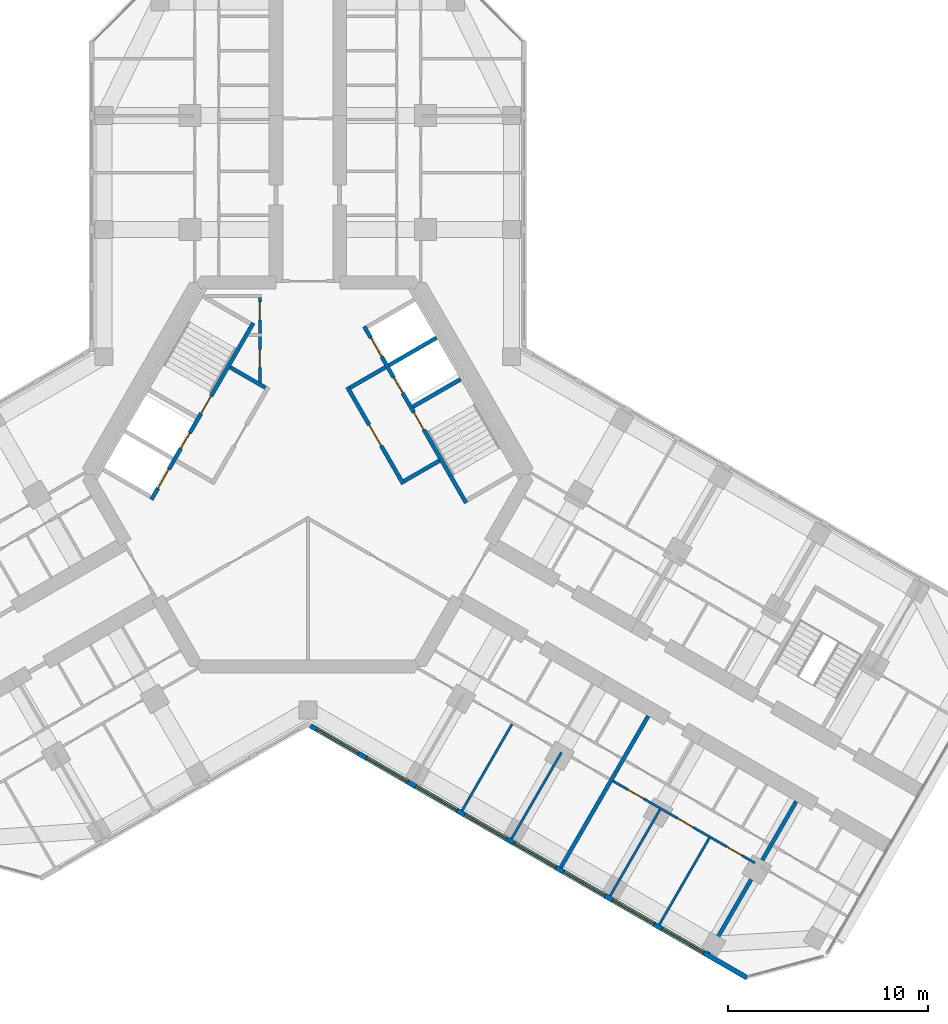
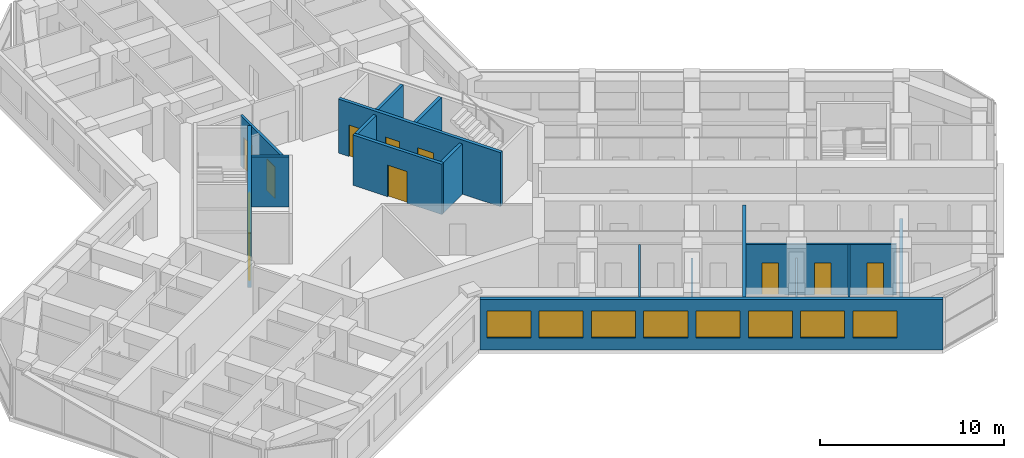
# One storey, part 10 of 16: 17 walls, 12 doors, 8 windows, 20 openings.
"""IFC4 building model written with IfcOpenShell, lengths in metres."""

from ifc_helpers import new_model, si_unit, direction, frame, frame_2d, origin, place, context, subcontext, project, spatial, rectangle, extrude, material, layer, layer_set, type_object, element, fill, save


model = new_model("IFC4")

# Units and contexts
model_context = context("Model", 3, precision=1e-05, world=origin(), true_north=direction((0.0, 1.0)))
body_context = subcontext(model_context, "Body", "Model", "MODEL_VIEW")
ifc_project = project(units=[si_unit("LENGTHUNIT", "METRE"), si_unit("AREAUNIT", "SQUARE_METRE"), si_unit("VOLUMEUNIT", "CUBIC_METRE"), si_unit("PLANEANGLEUNIT", "RADIAN"), si_unit("MASSUNIT", "GRAM", prefix="KILO")], contexts=[model_context])

# Site, building, storey
site_placement = place(None, origin())
site = spatial("IfcSite", under=ifc_project, at=site_placement, CompositionType="ELEMENT")
building_placement = place(site_placement, origin())
building = spatial("IfcBuilding", under=site, at=building_placement, Name="Kosmar Iwan School Tower", CompositionType="ELEMENT")
storey_placement = place(building_placement, frame((0.0, 0.0, 211.800048828125)))
storey = spatial("IfcBuildingStorey", under=building, at=storey_placement, Name="L53", CompositionType="ELEMENT", Elevation=211.800048828125)

# Wall, openings, doors
ifc_material_1 = material(Name="Gypsum board on steel studs, fire-rated", Category="steel")
ifc_layer_1 = layer(ifc_material_1, 0.14990234375)
ifc_layer_set_1 = layer_set([ifc_layer_1], Name="Core room partition 150")
wall_type_1 = type_object("IfcWallType", Name="Core room partition 150", PredefinedType="PARTITIONING", material=ifc_layer_set_1)
wall_1_placement = place(storey_placement, frame((-2.39990234375, 9.014892578125, 0.0), z_axis=(0.0, 0.0, 1.0), x_axis=(0.0, -1.0, 0.0)))
wall_1 = element("IfcWall", 1, at=wall_1_placement, inside=storey, type_object=wall_type_1, Name="Core room partition L53-CW1", PredefinedType="PARTITIONING", context=body_context, shape_type="SweptSolid", body=[
    extrude(rectangle(XDim=4.484130859375, YDim=0.14990234375, at=frame_2d((2.2421875, 0.0))), origin(), (0.0, 0.0, 1.0), 3.349853515625),
])
opening_1_placement = place(wall_1_placement, frame((0.375, 0.0, 0.0)))
opening_1 = element("IfcOpeningElement", 2, at=opening_1_placement, cuts=wall_1, Name="Opening D14", PredefinedType="OPENING", context=body_context, shape_type="SweptSolid", body=[
    extrude(rectangle(XDim=0.89990234375, YDim=2.10009765625, at=frame_2d((0.449951171875, 1.050048828125))), frame((0.0, 0.0869140625, 0.0), z_axis=(0.0, -1.0, 0.0), x_axis=(1.0, 0.0, 0.0)), (0.0, 0.0, 1.0), 0.173828125),
])
opening_2_placement = place(wall_1_placement, frame((2.77490234375, 0.0, 0.0)))
opening_2 = element("IfcOpeningElement", 3, at=opening_2_placement, cuts=wall_1, Name="Opening D14", PredefinedType="OPENING", context=body_context, shape_type="SweptSolid", body=[
    extrude(rectangle(XDim=0.89990234375, YDim=2.10009765625, at=frame_2d((0.449951171875, 1.050048828125))), frame((0.0, 0.0869140625, 0.0), z_axis=(0.0, -1.0, 0.0), x_axis=(1.0, 0.0, 0.0)), (0.0, 0.0, 1.0), 0.173828125),
])
ifc_material_2 = material(Name="Timber fire door in steel frame", Category="steel")
door_type_1 = type_object("IfcDoorType", Name="Core room door 900x2100", OperationType="SINGLE_SWING_LEFT", PredefinedType="DOOR", material=ifc_material_2)
door_1_placement = place(opening_1_placement, origin())
door_1 = element("IfcDoor", 4, at=door_1_placement, inside=storey, type_object=door_type_1, Name="Electrical riser and switch room door L53 1", OperationType="SINGLE_SWING_LEFT", OverallHeight=2.10009765625, OverallWidth=0.89990234375, PredefinedType="DOOR", context=body_context, shape_type="SweptSolid", body=[
    extrude(rectangle(XDim=0.89990234375, YDim=2.10009765625, at=frame_2d((0.449951171875, 1.050048828125))), frame((0.0, 0.02490234375, 0.0), z_axis=(0.0, -1.0, 0.0), x_axis=(1.0, 0.0, 0.0)), (0.0, 0.0, 1.0), 0.050048828125),
])
fill(opening_1, door_1)
door_2_placement = place(opening_2_placement, origin())
door_2 = element("IfcDoor", 5, at=door_2_placement, inside=storey, type_object=door_type_1, Name="Plumbing and wet riser door L53 2", OperationType="SINGLE_SWING_RIGHT", OverallHeight=2.10009765625, OverallWidth=0.89990234375, PredefinedType="DOOR", context=body_context, shape_type="SweptSolid", body=[
    extrude(rectangle(XDim=0.89990234375, YDim=2.10009765625, at=frame_2d((0.449951171875, 1.050048828125))), frame((0.0, 0.02490234375, 0.0), z_axis=(0.0, -1.0, 0.0), x_axis=(1.0, 0.0, 0.0)), (0.0, 0.0, 1.0), 0.050048828125),
])
fill(opening_2, door_2)

# Walls
ifc_material_3 = material(Name="Gypsum board on steel studs", Category="steel")
ifc_layer_2 = layer(ifc_material_3, 0.1201171875)
ifc_layer_set_2 = layer_set([ifc_layer_2], Name="Dwelling partition 120")
wall_type_2 = type_object("IfcWallType", Name="Dwelling partition 120", PredefinedType="PARTITIONING", material=ifc_layer_set_2)
wall_2_placement = place(storey_placement, frame((10.221923828125, -12.4951171875, 0.0), z_axis=(0.0, 0.0, 1.0), x_axis=(-0.499996339024, -0.86602751744, 0.0)))
element("IfcWall", 6, at=wall_2_placement, inside=storey, type_object=wall_type_2, Name="Partition L53-CR1-X2", PredefinedType="PARTITIONING", context=body_context, shape_type="SweptSolid", body=[
    extrude(rectangle(XDim=4.98974609375, YDim=0.1201171875, at=frame_2d((2.494873046875, 0.0))), origin(), (0.0, 0.0, 1.0), 3.349853515625),
])
wall_3_placement = place(storey_placement, frame((12.690185546875, -13.919921875, 0.0), z_axis=(0.0, 0.0, 1.0), x_axis=(-0.500011847778, -0.866018563358, 0.0)))
element("IfcWall", 7, at=wall_3_placement, inside=storey, type_object=wall_type_2, Name="Partition L53-CR1-X3", PredefinedType="PARTITIONING", context=body_context, shape_type="SweptSolid", body=[
    extrude(rectangle(XDim=4.990234375, YDim=0.1201171875, at=frame_2d((2.4951171875, 0.0))), origin(), (0.0, 0.0, 1.0), 2.449951171875),
])

# Wall, openings, doors
wall_4_placement = place(storey_placement, frame((15.27490234375, -15.343017578125, 0.0), z_axis=(0.0, 0.0, 1.0), x_axis=(0.866017504342, -0.500013681986, 0.0)))
wall_4 = element("IfcWall", 8, at=wall_4_placement, inside=storey, type_object=wall_type_2, Name="Partition L53-CR2-W2", PredefinedType="PARTITIONING", context=body_context, shape_type="SweptSolid", body=[
    extrude(rectangle(XDim=8.199951171875, YDim=0.1201171875, at=frame_2d((4.10009765625, 0.0))), origin(), (0.0, 0.0, 1.0), 3.349853515625),
])
opening_3_placement = place(wall_4_placement, frame((0.875, 0.0, 0.0)))
opening_3 = element("IfcOpeningElement", 9, at=opening_3_placement, cuts=wall_4, Name="Opening D2", PredefinedType="OPENING", context=body_context, shape_type="SweptSolid", body=[
    extrude(rectangle(XDim=0.89990234375, YDim=2.10009765625, at=frame_2d((0.449951171875, 1.050048828125))), frame((0.0, 0.072021484375, 0.0), z_axis=(0.0, -1.0, 0.0), x_axis=(1.0, 0.0, 0.0)), (0.0, 0.0, 1.0), 0.14404296875),
])
opening_4_placement = place(wall_4_placement, frame((3.72509765625, 0.0, 0.0)))
opening_4 = element("IfcOpeningElement", 10, at=opening_4_placement, cuts=wall_4, Name="Opening D2", PredefinedType="OPENING", context=body_context, shape_type="SweptSolid", body=[
    extrude(rectangle(XDim=0.89990234375, YDim=2.10009765625, at=frame_2d((0.449951171875, 1.050048828125))), frame((0.0, 0.072021484375, 0.0), z_axis=(0.0, -1.0, 0.0), x_axis=(1.0, 0.0, 0.0)), (0.0, 0.0, 1.0), 0.14404296875),
])
opening_5_placement = place(wall_4_placement, frame((6.574951171875, 0.0, 0.0)))
opening_5 = element("IfcOpeningElement", 11, at=opening_5_placement, cuts=wall_4, Name="Opening D2", PredefinedType="OPENING", context=body_context, shape_type="SweptSolid", body=[
    extrude(rectangle(XDim=0.89990234375, YDim=2.10009765625, at=frame_2d((0.449951171875, 1.050048828125))), frame((0.0, 0.072021484375, 0.0), z_axis=(0.0, -1.0, 0.0), x_axis=(1.0, 0.0, 0.0)), (0.0, 0.0, 1.0), 0.14404296875),
])
ifc_material_4 = material(Name="Timber door in timber frame", Category="wood")
door_type_2 = type_object("IfcDoorType", Name="Internal door 900x2100", OperationType="SINGLE_SWING_LEFT", PredefinedType="DOOR", material=ifc_material_4)
door_3_placement = place(opening_3_placement, origin())
door_3 = element("IfcDoor", 12, at=door_3_placement, inside=storey, type_object=door_type_2, Name="Grandparents' suite door L53-CR2-F1", OperationType="SINGLE_SWING_LEFT", OverallHeight=2.10009765625, OverallWidth=0.89990234375, PredefinedType="DOOR", context=body_context, shape_type="SweptSolid", body=[
    extrude(rectangle(XDim=0.89990234375, YDim=2.10009765625, at=frame_2d((0.449951171875, 1.050048828125))), frame((0.0, 0.02490234375, 0.0), z_axis=(0.0, -1.0, 0.0), x_axis=(1.0, 0.0, 0.0)), (0.0, 0.0, 1.0), 0.050048828125),
])
fill(opening_3, door_3)
door_4_placement = place(opening_4_placement, origin())
door_4 = element("IfcDoor", 13, at=door_4_placement, inside=storey, type_object=door_type_2, Name="Living room and kitchen door L53-CR2-F2", OperationType="SINGLE_SWING_RIGHT", OverallHeight=2.10009765625, OverallWidth=0.89990234375, PredefinedType="DOOR", context=body_context, shape_type="SweptSolid", body=[
    extrude(rectangle(XDim=0.89990234375, YDim=2.10009765625, at=frame_2d((0.449951171875, 1.050048828125))), frame((0.0, 0.02490234375, 0.0), z_axis=(0.0, -1.0, 0.0), x_axis=(1.0, 0.0, 0.0)), (0.0, 0.0, 1.0), 0.050048828125),
])
fill(opening_4, door_4)
door_5_placement = place(opening_5_placement, origin())
door_5 = element("IfcDoor", 14, at=door_5_placement, inside=storey, type_object=door_type_2, Name="Bedroom 1 door L53-CR2-F3", OperationType="SINGLE_SWING_RIGHT", OverallHeight=2.10009765625, OverallWidth=0.89990234375, PredefinedType="DOOR", context=body_context, shape_type="SweptSolid", body=[
    extrude(rectangle(XDim=0.89990234375, YDim=2.10009765625, at=frame_2d((0.449951171875, 1.050048828125))), frame((0.0, 0.02490234375, 0.0), z_axis=(0.0, -1.0, 0.0), x_axis=(1.0, 0.0, 0.0)), (0.0, 0.0, 1.0), 0.050048828125),
])
fill(opening_5, door_5)

# Walls
wall_5_placement = place(storey_placement, frame((17.62646484375, -16.77001953125, 0.0), z_axis=(0.0, 0.0, 1.0), x_axis=(-0.499975153383, -0.86603974851, 0.0)))
element("IfcWall", 15, at=wall_5_placement, inside=storey, type_object=wall_type_2, Name="Partition L53-CR2-X1", PredefinedType="PARTITIONING", context=body_context, shape_type="SweptSolid", body=[
    extrude(rectangle(XDim=4.989990234375, YDim=0.1201171875, at=frame_2d((2.4951171875, 0.0))), origin(), (0.0, 0.0, 1.0), 2.449951171875),
])
wall_6_placement = place(storey_placement, frame((20.0947265625, -18.195068359375, 0.0), z_axis=(0.0, 0.0, 1.0), x_axis=(-0.500011847778, -0.866018563358, 0.0)))
element("IfcWall", 16, at=wall_6_placement, inside=storey, type_object=wall_type_2, Name="Partition L53-CR2-X2", PredefinedType="PARTITIONING", context=body_context, shape_type="SweptSolid", body=[
    extrude(rectangle(XDim=4.990234375, YDim=0.1201171875, at=frame_2d((2.4951171875, 0.0))), origin(), (0.0, 0.0, 1.0), 3.349853515625),
])

# Wall, openings, windows
ifc_material_5 = material(Name="Black aluminium rainscreen on insulated framing", Category="aluminium")
ifc_layer_3 = layer(ifc_material_5, 0.25)
ifc_layer_set_3 = layer_set([ifc_layer_3], Name="External wall rainscreen 250")
wall_type_3 = type_object("IfcWallType", Name="External wall rainscreen 250", PredefinedType="SOLIDWALL", material=ifc_layer_set_3)
wall_7_placement = place(storey_placement, frame((0.137939453125, -12.5791015625, 0.0), z_axis=(0.0, 0.0, 1.0), x_axis=(0.866023775649, -0.500002820003, 0.0)))
wall_7 = element("IfcWall", 17, at=wall_7_placement, inside=storey, type_object=wall_type_3, Name="External wall CR L53", PredefinedType="SOLIDWALL", context=body_context, shape_type="SweptSolid", body=[
    extrude(rectangle(XDim=25.226318359375, YDim=0.25, at=frame_2d((12.61328125, 0.0))), origin(), (0.0, 0.0, 1.0), 3.349853515625),
])
opening_6_placement = place(wall_7_placement, frame((0.365966796875, 0.0, 0.800048828125)))
opening_6 = element("IfcOpeningElement", 18, at=opening_6_placement, cuts=wall_7, Name="Opening W5", PredefinedType="OPENING", context=body_context, shape_type="SweptSolid", body=[
    extrude(rectangle(XDim=2.39990234375, YDim=1.800048828125, at=frame_2d((1.199951171875, 0.89990234375))), frame((0.0, 0.136962890625, 0.0), z_axis=(0.0, -1.0, 0.0), x_axis=(1.0, 0.0, 0.0)), (0.0, 0.0, 1.0), 0.27392578125),
])
opening_7_placement = place(wall_7_placement, frame((3.216064453125, 0.0, 0.800048828125)))
opening_7 = element("IfcOpeningElement", 19, at=opening_7_placement, cuts=wall_7, Name="Opening W5", PredefinedType="OPENING", context=body_context, shape_type="SweptSolid", body=[
    extrude(rectangle(XDim=2.39990234375, YDim=1.800048828125, at=frame_2d((1.199951171875, 0.89990234375))), frame((0.0, 0.136962890625, 0.0), z_axis=(0.0, -1.0, 0.0), x_axis=(1.0, 0.0, 0.0)), (0.0, 0.0, 1.0), 0.27392578125),
])
opening_8_placement = place(wall_7_placement, frame((6.06591796875, 0.0, 0.800048828125)))
opening_8 = element("IfcOpeningElement", 20, at=opening_8_placement, cuts=wall_7, Name="Opening W5", PredefinedType="OPENING", context=body_context, shape_type="SweptSolid", body=[
    extrude(rectangle(XDim=2.39990234375, YDim=1.800048828125, at=frame_2d((1.199951171875, 0.89990234375))), frame((0.0, 0.136962890625, 0.0), z_axis=(0.0, -1.0, 0.0), x_axis=(1.0, 0.0, 0.0)), (0.0, 0.0, 1.0), 0.27392578125),
])
opening_9_placement = place(wall_7_placement, frame((8.916015625, 0.0, 0.800048828125)))
opening_9 = element("IfcOpeningElement", 21, at=opening_9_placement, cuts=wall_7, Name="Opening W5", PredefinedType="OPENING", context=body_context, shape_type="SweptSolid", body=[
    extrude(rectangle(XDim=2.39990234375, YDim=1.800048828125, at=frame_2d((1.199951171875, 0.89990234375))), frame((0.0, 0.136962890625, 0.0), z_axis=(0.0, -1.0, 0.0), x_axis=(1.0, 0.0, 0.0)), (0.0, 0.0, 1.0), 0.27392578125),
])
opening_10_placement = place(wall_7_placement, frame((11.76611328125, 0.0, 0.800048828125)))
opening_10 = element("IfcOpeningElement", 22, at=opening_10_placement, cuts=wall_7, Name="Opening W5", PredefinedType="OPENING", context=body_context, shape_type="SweptSolid", body=[
    extrude(rectangle(XDim=2.39990234375, YDim=1.800048828125, at=frame_2d((1.199951171875, 0.89990234375))), frame((0.0, 0.136962890625, 0.0), z_axis=(0.0, -1.0, 0.0), x_axis=(1.0, 0.0, 0.0)), (0.0, 0.0, 1.0), 0.27392578125),
])
opening_11_placement = place(wall_7_placement, frame((14.615966796875, 0.0, 0.800048828125)))
opening_11 = element("IfcOpeningElement", 23, at=opening_11_placement, cuts=wall_7, Name="Opening W5", PredefinedType="OPENING", context=body_context, shape_type="SweptSolid", body=[
    extrude(rectangle(XDim=2.39990234375, YDim=1.800048828125, at=frame_2d((1.199951171875, 0.89990234375))), frame((0.0, 0.136962890625, 0.0), z_axis=(0.0, -1.0, 0.0), x_axis=(1.0, 0.0, 0.0)), (0.0, 0.0, 1.0), 0.27392578125),
])
opening_12_placement = place(wall_7_placement, frame((17.466064453125, 0.0, 0.800048828125)))
opening_12 = element("IfcOpeningElement", 24, at=opening_12_placement, cuts=wall_7, Name="Opening W5", PredefinedType="OPENING", context=body_context, shape_type="SweptSolid", body=[
    extrude(rectangle(XDim=2.39990234375, YDim=1.800048828125, at=frame_2d((1.199951171875, 0.89990234375))), frame((0.0, 0.136962890625, 0.0), z_axis=(0.0, -1.0, 0.0), x_axis=(1.0, 0.0, 0.0)), (0.0, 0.0, 1.0), 0.27392578125),
])
opening_13_placement = place(wall_7_placement, frame((20.31591796875, 0.0, 0.800048828125)))
opening_13 = element("IfcOpeningElement", 25, at=opening_13_placement, cuts=wall_7, Name="Opening W5", PredefinedType="OPENING", context=body_context, shape_type="SweptSolid", body=[
    extrude(rectangle(XDim=2.39990234375, YDim=1.800048828125, at=frame_2d((1.199951171875, 0.89990234375))), frame((0.0, 0.136962890625, 0.0), z_axis=(0.0, -1.0, 0.0), x_axis=(1.0, 0.0, 0.0)), (0.0, 0.0, 1.0), 0.27392578125),
])
ifc_material_6 = material(Name="Black aluminium frame with dark triple glazing", Category="aluminium")
window_type = type_object("IfcWindowType", Name="Window 2400x1800", PartitioningType="SINGLE_PANEL", PredefinedType="WINDOW", material=ifc_material_6)
window_1_placement = place(opening_6_placement, origin())
window_1 = element("IfcWindow", 26, at=window_1_placement, inside=storey, type_object=window_type, Name="Window CR L53 -1", OverallHeight=1.800048828125, OverallWidth=2.39990234375, PartitioningType="SINGLE_PANEL", PredefinedType="WINDOW", context=body_context, shape_type="SweptSolid", body=[
    extrude(rectangle(XDim=2.39990234375, YDim=1.800048828125, at=frame_2d((1.199951171875, 0.89990234375))), frame((0.0, 0.030029296875, 0.0), z_axis=(0.0, -1.0, 0.0), x_axis=(1.0, 0.0, 0.0)), (0.0, 0.0, 1.0), 0.06005859375),
])
fill(opening_6, window_1)
window_2_placement = place(opening_7_placement, origin())
window_2 = element("IfcWindow", 27, at=window_2_placement, inside=storey, type_object=window_type, Name="Window CR L53 0", OverallHeight=1.800048828125, OverallWidth=2.39990234375, PartitioningType="SINGLE_PANEL", PredefinedType="WINDOW", context=body_context, shape_type="SweptSolid", body=[
    extrude(rectangle(XDim=2.39990234375, YDim=1.800048828125, at=frame_2d((1.199951171875, 0.89990234375))), frame((0.0, 0.030029296875, 0.0), z_axis=(0.0, -1.0, 0.0), x_axis=(1.0, 0.0, 0.0)), (0.0, 0.0, 1.0), 0.06005859375),
])
fill(opening_7, window_2)
window_3_placement = place(opening_8_placement, origin())
window_3 = element("IfcWindow", 28, at=window_3_placement, inside=storey, type_object=window_type, Name="Window CR L53 1", OverallHeight=1.800048828125, OverallWidth=2.39990234375, PartitioningType="SINGLE_PANEL", PredefinedType="WINDOW", context=body_context, shape_type="SweptSolid", body=[
    extrude(rectangle(XDim=2.39990234375, YDim=1.800048828125, at=frame_2d((1.199951171875, 0.89990234375))), frame((0.0, 0.030029296875, 0.0), z_axis=(0.0, -1.0, 0.0), x_axis=(1.0, 0.0, 0.0)), (0.0, 0.0, 1.0), 0.06005859375),
])
fill(opening_8, window_3)
window_4_placement = place(opening_9_placement, origin())
window_4 = element("IfcWindow", 29, at=window_4_placement, inside=storey, type_object=window_type, Name="Window CR L53 2", OverallHeight=1.800048828125, OverallWidth=2.39990234375, PartitioningType="SINGLE_PANEL", PredefinedType="WINDOW", context=body_context, shape_type="SweptSolid", body=[
    extrude(rectangle(XDim=2.39990234375, YDim=1.800048828125, at=frame_2d((1.199951171875, 0.89990234375))), frame((0.0, 0.030029296875, 0.0), z_axis=(0.0, -1.0, 0.0), x_axis=(1.0, 0.0, 0.0)), (0.0, 0.0, 1.0), 0.06005859375),
])
fill(opening_9, window_4)
window_5_placement = place(opening_10_placement, origin())
window_5 = element("IfcWindow", 30, at=window_5_placement, inside=storey, type_object=window_type, Name="Window CR L53 3", OverallHeight=1.800048828125, OverallWidth=2.39990234375, PartitioningType="SINGLE_PANEL", PredefinedType="WINDOW", context=body_context, shape_type="SweptSolid", body=[
    extrude(rectangle(XDim=2.39990234375, YDim=1.800048828125, at=frame_2d((1.199951171875, 0.89990234375))), frame((0.0, 0.030029296875, 0.0), z_axis=(0.0, -1.0, 0.0), x_axis=(1.0, 0.0, 0.0)), (0.0, 0.0, 1.0), 0.06005859375),
])
fill(opening_10, window_5)
window_6_placement = place(opening_11_placement, origin())
window_6 = element("IfcWindow", 31, at=window_6_placement, inside=storey, type_object=window_type, Name="Window CR L53 4", OverallHeight=1.800048828125, OverallWidth=2.39990234375, PartitioningType="SINGLE_PANEL", PredefinedType="WINDOW", context=body_context, shape_type="SweptSolid", body=[
    extrude(rectangle(XDim=2.39990234375, YDim=1.800048828125, at=frame_2d((1.199951171875, 0.89990234375))), frame((0.0, 0.030029296875, 0.0), z_axis=(0.0, -1.0, 0.0), x_axis=(1.0, 0.0, 0.0)), (0.0, 0.0, 1.0), 0.06005859375),
])
fill(opening_11, window_6)
window_7_placement = place(opening_12_placement, origin())
window_7 = element("IfcWindow", 32, at=window_7_placement, inside=storey, type_object=window_type, Name="Window CR L53 5", OverallHeight=1.800048828125, OverallWidth=2.39990234375, PartitioningType="SINGLE_PANEL", PredefinedType="WINDOW", context=body_context, shape_type="SweptSolid", body=[
    extrude(rectangle(XDim=2.39990234375, YDim=1.800048828125, at=frame_2d((1.199951171875, 0.89990234375))), frame((0.0, 0.030029296875, 0.0), z_axis=(0.0, -1.0, 0.0), x_axis=(1.0, 0.0, 0.0)), (0.0, 0.0, 1.0), 0.06005859375),
])
fill(opening_12, window_7)
window_8_placement = place(opening_13_placement, origin())
window_8 = element("IfcWindow", 33, at=window_8_placement, inside=storey, type_object=window_type, Name="Window CR L53 6", OverallHeight=1.800048828125, OverallWidth=2.39990234375, PartitioningType="SINGLE_PANEL", PredefinedType="WINDOW", context=body_context, shape_type="SweptSolid", body=[
    extrude(rectangle(XDim=2.39990234375, YDim=1.800048828125, at=frame_2d((1.199951171875, 0.89990234375))), frame((0.0, 0.030029296875, 0.0), z_axis=(0.0, -1.0, 0.0), x_axis=(1.0, 0.0, 0.0)), (0.0, 0.0, 1.0), 0.06005859375),
])
fill(opening_13, window_8)

# Wall
ifc_material_7 = material(Name="Concrete block masonry", Category="masonry")
ifc_layer_4 = layer(ifc_material_7, 0.199951171875)
ifc_layer_set_4 = layer_set([ifc_layer_4], Name="Fire lobby wall 200")
wall_type_4 = type_object("IfcWallType", Name="Fire lobby wall 200", PredefinedType="PARTITIONING", material=ifc_layer_set_4)
wall_8_placement = place(storey_placement, frame((-2.114013671875, 4.33837890625, 0.0), z_axis=(0.0, 0.0, 1.0), x_axis=(-0.866050731258, 0.499956128963, 0.0)))
element("IfcWall", 34, at=wall_8_placement, inside=storey, type_object=wall_type_4, Name="Firefighting lobby wall ST2", PredefinedType="PARTITIONING", context=body_context, shape_type="SweptSolid", body=[
    extrude(rectangle(XDim=2.050048828125, YDim=0.199951171875, at=frame_2d((1.02490234375, 0.0))), origin(), (0.0, 0.0, 1.0), 3.349853515625),
])

# Wall, opening, door
wall_9_placement = place(storey_placement, frame((4.777587890625, -0.474853515625, 0.0), z_axis=(0.0, 0.0, 1.0), x_axis=(-0.500016814911, 0.866015695474, 0.0)))
wall_9 = element("IfcWall", 35, at=wall_9_placement, inside=storey, type_object=wall_type_4, Name="Firefighting lobby wall ST1", PredefinedType="PARTITIONING", context=body_context, shape_type="SweptSolid", body=[
    extrude(rectangle(XDim=5.599853515625, YDim=0.199951171875, at=frame_2d((2.7998046875, 0.0))), origin(), (0.0, 0.0, 1.0), 3.349853515625),
])
opening_14_placement = place(wall_9_placement, frame((2.199951171875, 0.0, 0.0)))
opening_14 = element("IfcOpeningElement", 36, at=opening_14_placement, cuts=wall_9, Name="Opening D7", PredefinedType="OPENING", context=body_context, shape_type="SweptSolid", body=[
    extrude(rectangle(XDim=1.199951171875, YDim=2.10009765625, at=frame_2d((0.60009765625, 1.050048828125))), frame((0.0, 0.112060546875, 0.0), z_axis=(0.0, -1.0, 0.0), x_axis=(1.0, 0.0, 0.0)), (0.0, 0.0, 1.0), 0.223876953125),
])
ifc_material_8 = material(Name="Steel fire door", Category="steel")
door_type_3 = type_object("IfcDoorType", Name="Fire lobby door 1200x2100", OperationType="SINGLE_SWING_LEFT", PredefinedType="DOOR", material=ifc_material_8)
door_6_placement = place(opening_14_placement, origin())
door_6 = element("IfcDoor", 37, at=door_6_placement, inside=storey, type_object=door_type_3, Name="Firefighting lobby door ST1 L53", OperationType="SINGLE_SWING_RIGHT", OverallHeight=2.10009765625, OverallWidth=1.199951171875, PredefinedType="DOOR", context=body_context, shape_type="SweptSolid", body=[
    extrude(rectangle(XDim=1.199951171875, YDim=2.10009765625, at=frame_2d((0.60009765625, 1.050048828125))), frame((0.0, 0.02490234375, 0.0), z_axis=(0.0, -1.0, 0.0), x_axis=(1.0, 0.0, 0.0)), (0.0, 0.0, 1.0), 0.050048828125),
])
fill(opening_14, door_6)

# Walls
wall_10_placement = place(storey_placement, frame((4.814208984375, -0.33837890625, 0.0), z_axis=(0.0, 0.0, 1.0), x_axis=(0.865969381856, 0.500097020274, 0.0)))
element("IfcWall", 38, at=wall_10_placement, inside=storey, type_object=wall_type_4, Name="Firefighting lobby wall ST1", PredefinedType="PARTITIONING", context=body_context, shape_type="SweptSolid", body=[
    extrude(rectangle(XDim=2.0498046875, YDim=0.199951171875, at=frame_2d((1.02490234375, 0.0))), origin(), (0.0, 0.0, 1.0), 3.349853515625),
])
wall_11_placement = place(storey_placement, frame((2.114013671875, 4.33837890625, 0.0), z_axis=(0.0, 0.0, 1.0), x_axis=(0.866050731258, 0.499956128963, 0.0)))
element("IfcWall", 39, at=wall_11_placement, inside=storey, type_object=wall_type_4, Name="Firefighting lobby wall ST1", PredefinedType="PARTITIONING", context=body_context, shape_type="SweptSolid", body=[
    extrude(rectangle(XDim=2.050048828125, YDim=0.199951171875, at=frame_2d((1.02490234375, 0.0))), origin(), (0.0, 0.0, 1.0), 3.349853515625),
])

# Wall, openings, doors
ifc_material_9 = material(Name="Concrete C50/60", Category="concrete")
ifc_layer_5 = layer(ifc_material_9, 0.199951171875)
ifc_layer_set_5 = layer_set([ifc_layer_5], Name="Lift shaft wall 200")
wall_type_5 = type_object("IfcWallType", Name="Lift shaft wall 200", PredefinedType="SHEAR", material=ifc_layer_set_5)
wall_12_placement = place(storey_placement, frame((-2.72607421875, 7.578369140625, 0.0), z_axis=(0.0, 0.0, 1.0), x_axis=(-0.500005610874, -0.86602216432, 0.0)))
wall_12 = element("IfcWall", 40, at=wall_12_placement, inside=storey, type_object=wall_type_5, Name="Lift and stair front wall AB", PredefinedType="SHEAR", context=body_context, shape_type="SweptSolid", body=[
    extrude(rectangle(XDim=10.2001953125, YDim=0.199951171875, at=frame_2d((5.10009765625, 0.0))), origin(), (0.0, 0.0, 1.0), 3.599853515625),
])
opening_15_placement = place(wall_12_placement, frame((6.35009765625, 0.0, 0.0)))
opening_15 = element("IfcOpeningElement", 41, at=opening_15_placement, cuts=wall_12, Name="Opening LD2", PredefinedType="OPENING", context=body_context, shape_type="SweptSolid", body=[
    extrude(rectangle(XDim=0.89990234375, YDim=2.10009765625, at=frame_2d((0.449951171875, 1.050048828125))), frame((0.0, 0.112060546875, 0.0), z_axis=(0.0, -1.0, 0.0), x_axis=(1.0, 0.0, 0.0)), (0.0, 0.0, 1.0), 0.223876953125),
])
opening_16_placement = place(wall_12_placement, frame((8.449951171875, 0.0, 0.0)))
opening_16 = element("IfcOpeningElement", 42, at=opening_16_placement, cuts=wall_12, Name="Opening LD1", PredefinedType="OPENING", context=body_context, shape_type="SweptSolid", body=[
    extrude(rectangle(XDim=1.10009765625, YDim=2.10009765625, at=frame_2d((0.550048828125, 1.050048828125))), frame((0.0, 0.112060546875, 0.0), z_axis=(0.0, -1.0, 0.0), x_axis=(1.0, 0.0, 0.0)), (0.0, 0.0, 1.0), 0.223876953125),
])
opening_17_placement = place(wall_12_placement, frame((4.22998046875, 0.0, 0.0)))
opening_17 = element("IfcOpeningElement", 43, at=opening_17_placement, cuts=wall_12, Name="Opening D6", PredefinedType="OPENING", context=body_context, shape_type="SweptSolid", body=[
    extrude(rectangle(XDim=1.0, YDim=2.10009765625, at=frame_2d((0.5, 1.050048828125))), frame((0.0, 0.112060546875, 0.0), z_axis=(0.0, -1.0, 0.0), x_axis=(1.0, 0.0, 0.0)), (0.0, 0.0, 1.0), 0.223876953125),
])
ifc_material_10 = material(Name="Stainless steel sliding lift door", Category="steel")
door_type_4 = type_object("IfcDoorType", Name="Firefighting lift landing door 900x2100", OperationType="SLIDING_TO_LEFT", PredefinedType="DOOR", material=ifc_material_10)
door_7_placement = place(opening_15_placement, origin())
door_7 = element("IfcDoor", 44, at=door_7_placement, inside=storey, type_object=door_type_4, Name="Lift FF2 landing door L53", OperationType="SLIDING_TO_LEFT", OverallHeight=2.10009765625, OverallWidth=0.89990234375, PredefinedType="DOOR", context=body_context, shape_type="SweptSolid", body=[
    extrude(rectangle(XDim=0.89990234375, YDim=2.10009765625, at=frame_2d((0.449951171875, 1.050048828125))), frame((0.0, 0.02490234375, 0.0), z_axis=(0.0, -1.0, 0.0), x_axis=(1.0, 0.0, 0.0)), (0.0, 0.0, 1.0), 0.050048828125),
])
fill(opening_15, door_7)
ifc_material_11 = material(Name="Stainless steel sliding lift door", Category="steel")
door_type_5 = type_object("IfcDoorType", Name="Lift landing door 1100x2100", OperationType="SLIDING_TO_LEFT", PredefinedType="DOOR", material=ifc_material_11)
door_8_placement = place(opening_16_placement, origin())
door_8 = element("IfcDoor", 45, at=door_8_placement, inside=storey, type_object=door_type_5, Name="Lift PL6 landing door L53", OperationType="SLIDING_TO_LEFT", OverallHeight=2.10009765625, OverallWidth=1.10009765625, PredefinedType="DOOR", context=body_context, shape_type="SweptSolid", body=[
    extrude(rectangle(XDim=1.10009765625, YDim=2.10009765625, at=frame_2d((0.550048828125, 1.050048828125))), frame((0.0, 0.02490234375, 0.0), z_axis=(0.0, -1.0, 0.0), x_axis=(1.0, 0.0, 0.0)), (0.0, 0.0, 1.0), 0.050048828125),
])
fill(opening_16, door_8)
ifc_material_12 = material(Name="Steel fire door", Category="steel")
door_type_6 = type_object("IfcDoorType", Name="Stair door 1000x2100", OperationType="SINGLE_SWING_LEFT", PredefinedType="DOOR", material=ifc_material_12)
door_9_placement = place(opening_17_placement, origin())
door_9 = element("IfcDoor", 46, at=door_9_placement, inside=storey, type_object=door_type_6, Name="Stair ST2 door L53", OperationType="SINGLE_SWING_LEFT", OverallHeight=2.10009765625, OverallWidth=1.0, PredefinedType="DOOR", context=body_context, shape_type="SweptSolid", body=[
    extrude(rectangle(XDim=1.0, YDim=2.10009765625, at=frame_2d((0.5, 1.050048828125))), frame((0.0, 0.02490234375, 0.0), z_axis=(0.0, -1.0, 0.0), x_axis=(1.0, 0.0, 0.0)), (0.0, 0.0, 1.0), 0.050048828125),
])
fill(opening_17, door_9)

wall_13_placement = place(storey_placement, frame((7.926025390625, -1.42822265625, 0.0), z_axis=(0.0, 0.0, 1.0), x_axis=(-0.499998023675, 0.866026544813, 0.0)))
wall_13 = element("IfcWall", 47, at=wall_13_placement, inside=storey, type_object=wall_type_5, Name="Lift and stair front wall AC", PredefinedType="SHEAR", context=body_context, shape_type="SweptSolid", body=[
    extrude(rectangle(XDim=10.19970703125, YDim=0.199951171875, at=frame_2d((5.099853515625, 0.0))), origin(), (0.0, 0.0, 1.0), 3.599853515625),
])
opening_18_placement = place(wall_13_placement, frame((6.35009765625, 0.0, 0.0)))
opening_18 = element("IfcOpeningElement", 48, at=opening_18_placement, cuts=wall_13, Name="Opening LD2", PredefinedType="OPENING", context=body_context, shape_type="SweptSolid", body=[
    extrude(rectangle(XDim=0.89990234375, YDim=2.10009765625, at=frame_2d((0.449951171875, 1.050048828125))), frame((0.0, 0.112060546875, 0.0), z_axis=(0.0, -1.0, 0.0), x_axis=(1.0, 0.0, 0.0)), (0.0, 0.0, 1.0), 0.223876953125),
])
opening_19_placement = place(wall_13_placement, frame((8.449951171875, 0.0, 0.0)))
opening_19 = element("IfcOpeningElement", 49, at=opening_19_placement, cuts=wall_13, Name="Opening LD1", PredefinedType="OPENING", context=body_context, shape_type="SweptSolid", body=[
    extrude(rectangle(XDim=1.10009765625, YDim=2.10009765625, at=frame_2d((0.550048828125, 1.050048828125))), frame((0.0, 0.112060546875, 0.0), z_axis=(0.0, -1.0, 0.0), x_axis=(1.0, 0.0, 0.0)), (0.0, 0.0, 1.0), 0.223876953125),
])
opening_20_placement = place(wall_13_placement, frame((4.22998046875, 0.0, 0.0)))
opening_20 = element("IfcOpeningElement", 50, at=opening_20_placement, cuts=wall_13, Name="Opening D6", PredefinedType="OPENING", context=body_context, shape_type="SweptSolid", body=[
    extrude(rectangle(XDim=1.0, YDim=2.10009765625, at=frame_2d((0.5, 1.050048828125))), frame((0.0, 0.112060546875, 0.0), z_axis=(0.0, -1.0, 0.0), x_axis=(1.0, 0.0, 0.0)), (0.0, 0.0, 1.0), 0.223876953125),
])
door_10_placement = place(opening_18_placement, origin())
door_10 = element("IfcDoor", 51, at=door_10_placement, inside=storey, type_object=door_type_4, Name="Lift FF1 landing door L53", OperationType="SLIDING_TO_LEFT", OverallHeight=2.10009765625, OverallWidth=0.89990234375, PredefinedType="DOOR", context=body_context, shape_type="SweptSolid", body=[
    extrude(rectangle(XDim=0.89990234375, YDim=2.10009765625, at=frame_2d((0.449951171875, 1.050048828125))), frame((0.0, 0.02490234375, 0.0), z_axis=(0.0, -1.0, 0.0), x_axis=(1.0, 0.0, 0.0)), (0.0, 0.0, 1.0), 0.050048828125),
])
fill(opening_18, door_10)
door_11_placement = place(opening_19_placement, origin())
door_11 = element("IfcDoor", 52, at=door_11_placement, inside=storey, type_object=door_type_5, Name="Lift PL5 landing door L53", OperationType="SLIDING_TO_LEFT", OverallHeight=2.10009765625, OverallWidth=1.10009765625, PredefinedType="DOOR", context=body_context, shape_type="SweptSolid", body=[
    extrude(rectangle(XDim=1.10009765625, YDim=2.10009765625, at=frame_2d((0.550048828125, 1.050048828125))), frame((0.0, 0.02490234375, 0.0), z_axis=(0.0, -1.0, 0.0), x_axis=(1.0, 0.0, 0.0)), (0.0, 0.0, 1.0), 0.050048828125),
])
fill(opening_19, door_11)
door_12_placement = place(opening_20_placement, origin())
door_12 = element("IfcDoor", 53, at=door_12_placement, inside=storey, type_object=door_type_6, Name="Stair ST1 door L53", OperationType="SINGLE_SWING_LEFT", OverallHeight=2.10009765625, OverallWidth=1.0, PredefinedType="DOOR", context=body_context, shape_type="SweptSolid", body=[
    extrude(rectangle(XDim=1.0, YDim=2.10009765625, at=frame_2d((0.5, 1.050048828125))), frame((0.0, 0.02490234375, 0.0), z_axis=(0.0, -1.0, 0.0), x_axis=(1.0, 0.0, 0.0)), (0.0, 0.0, 1.0), 0.050048828125),
])
fill(opening_20, door_12)

# Walls
wall_14_placement = place(storey_placement, frame((4.062744140625, 5.46337890625, 0.0), z_axis=(0.0, 0.0, 1.0), x_axis=(0.866027397988, 0.499996545922, 0.0)))
element("IfcWall", 54, at=wall_14_placement, inside=storey, type_object=wall_type_5, Name="Lift shaft wall AC 1", PredefinedType="SHEAR", context=body_context, shape_type="SweptSolid", body=[
    extrude(rectangle(XDim=2.75, YDim=0.199951171875, at=frame_2d((1.375, 0.0))), origin(), (0.0, 0.0, 1.0), 3.599853515625),
])
ifc_material_13 = material(Name="Concrete block masonry", Category="masonry")
ifc_layer_6 = layer(ifc_material_13, 0.199951171875)
ifc_layer_set_6 = layer_set([ifc_layer_6], Name="Party wall 200")
wall_type_6 = type_object("IfcWallType", Name="Party wall 200", PredefinedType="PARTITIONING", material=ifc_layer_set_6)
wall_15_placement = place(storey_placement, frame((17.038330078125, -12.088623046875, 0.0), z_axis=(0.0, 0.0, 1.0), x_axis=(-0.499992152613, -0.866029934428, 0.0)))
element("IfcWall", 55, at=wall_15_placement, inside=storey, type_object=wall_type_6, Name="Partition L53-CR2-PW", PredefinedType="PARTITIONING", context=body_context, shape_type="SweptSolid", body=[
    extrude(rectangle(XDim=8.750244140625, YDim=0.199951171875, at=frame_2d((4.375, 0.0))), origin(), (0.0, 0.0, 1.0), 3.349853515625),
])
wall_16_placement = place(storey_placement, frame((24.44287109375, -16.36376953125, 0.0), z_axis=(0.0, 0.0, 1.0), x_axis=(-0.500004234368, -0.866022959057, 0.0)))
element("IfcWall", 56, at=wall_16_placement, inside=storey, type_object=wall_type_6, Name="Partition L53-CR3-PW", PredefinedType="PARTITIONING", context=body_context, shape_type="SweptSolid", body=[
    extrude(rectangle(XDim=8.75, YDim=0.199951171875, at=frame_2d((4.375, 0.0))), origin(), (0.0, 0.0, 1.0), 2.449951171875),
])
ifc_material_14 = material(Name="Concrete C50/60", Category="concrete")
ifc_layer_7 = layer(ifc_material_14, 0.199951171875)
ifc_layer_set_7 = layer_set([ifc_layer_7], Name="Stair enclosure wall 200")
wall_type_7 = type_object("IfcWallType", Name="Stair enclosure wall 200", PredefinedType="SHEAR", material=ifc_layer_set_7)
wall_17_placement = place(storey_placement, frame((5.2626953125, 3.384765625, 0.0), z_axis=(0.0, 0.0, 1.0), x_axis=(0.866027397988, 0.499996545922, 0.0)))
element("IfcWall", 57, at=wall_17_placement, inside=storey, type_object=wall_type_7, Name="Stair ST1 wall", PredefinedType="SHEAR", context=body_context, shape_type="SweptSolid", body=[
    extrude(rectangle(XDim=2.75, YDim=0.199951171875, at=frame_2d((1.375, 0.0))), origin(), (0.0, 0.0, 1.0), 3.599853515625),
])

save(model, "model.ifc")
